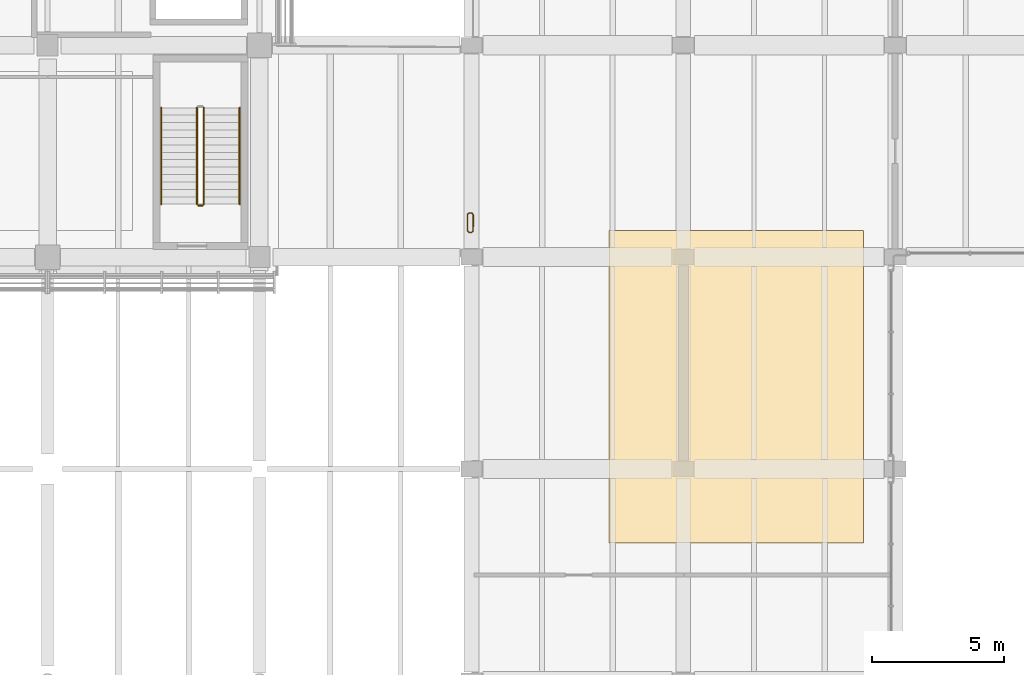
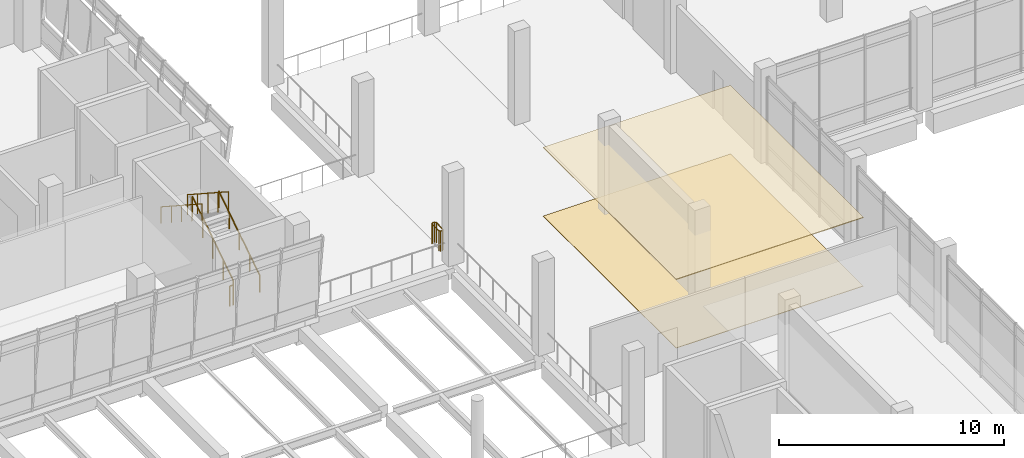
# One storey, part 54 of 61: 6 railings, 2 coverings.
"""IFC4 building model written with IfcOpenShell, lengths in metres."""

from ifc_helpers import new_model, si_unit, direction, frame, origin, origin_2d, place, context, subcontext, project, spatial, polyline, circle, outline, extrude, material, layer, layer_set, type_object, element, save


model = new_model("IFC4")

# Units and contexts
model_context = context("Model", 3, precision=1e-05, world=origin(), true_north=direction((0.0, 1.0)))
body_context = subcontext(model_context, "Body", "Model", "MODEL_VIEW")
ifc_project = project(units=[si_unit("LENGTHUNIT", "METRE"), si_unit("AREAUNIT", "SQUARE_METRE"), si_unit("VOLUMEUNIT", "CUBIC_METRE"), si_unit("PLANEANGLEUNIT", "RADIAN"), si_unit("MASSUNIT", "GRAM", prefix="KILO")], contexts=[model_context])

# Site, building, storey
site_placement = place(None, origin())
site = spatial("IfcSite", under=ifc_project, at=site_placement, CompositionType="ELEMENT")
building_placement = place(site_placement, origin())
building = spatial("IfcBuilding", under=site, at=building_placement, Name="Pecanmere Concourse Central Library", CompositionType="ELEMENT")
storey_placement = place(building_placement, frame((0.0, 0.0, 5.39990234375)))
storey = spatial("IfcBuildingStorey", under=building, at=storey_placement, Name="L02", CompositionType="ELEMENT", Elevation=5.39990234375)

# Coverings
ifc_material_1 = material(Name="Perforated mineral acoustic ceiling tile")
ifc_layer_1 = layer(ifc_material_1, 0.0400390625, Name="COV_CEIL_ACOUSTIC")
ifc_layer_set_1 = layer_set([ifc_layer_1], Name="Perforated mineral acoustic ceiling tile")
covering_type_1 = type_object("IfcCoveringType", Name="COV_CEIL_ACOUSTIC", PredefinedType="CEILING", material=ifc_layer_set_1)
covering_1_placement = place(storey_placement, frame((0.0, 0.0, 3.710205078125)))
element("IfcCovering", 1, at=covering_1_placement, inside=storey, type_object=covering_type_1, Name="Acoustic Coffered Ceiling L02-008", PredefinedType="CEILING", context=body_context, shape_type="SweptSolid", body=[
    extrude(outline(polyline([(117.199951171875, 79.199951171875), (126.800048828125, 79.199951171875), (126.800048828125, 91.0), (117.199951171875, 91.0), (117.199951171875, 79.199951171875)])), origin(), (0.0, 0.0, 1.0), 0.039794921875),
])
ifc_material_2 = material(Name="Solid white oak architectural joinery")
ifc_layer_2 = layer(ifc_material_2, 0.02490234375, Name="COV_FLR_OAK")
ifc_layer_set_2 = layer_set([ifc_layer_2], Name="Solid white oak architectural joinery")
covering_type_2 = type_object("IfcCoveringType", Name="COV_FLR_OAK", PredefinedType="FLOORING", material=ifc_layer_set_2)
covering_2_placement = place(storey_placement, origin())
element("IfcCovering", 2, at=covering_2_placement, inside=storey, type_object=covering_type_2, Name="Finished Flooring L02-008", PredefinedType="FLOORING", context=body_context, shape_type="SweptSolid", body=[
    extrude(outline(polyline([(117.199951171875, 79.199951171875), (126.800048828125, 79.199951171875), (126.800048828125, 91.0), (117.199951171875, 91.0), (117.199951171875, 79.199951171875)])), origin(), (0.0, 0.0, 1.0), 0.025146484375),
])

# Railings
ifc_material_3 = material(Name="Architectural anodized bronze")
railing_type_1 = type_object("IfcRailingType", Name="RAIL_ATRIUM_BAL", PredefinedType="BALUSTRADE", material=ifc_material_3)
railing_1_placement = place(storey_placement, frame((112.069580078125, 91.596923828125, 0.0)))
element("IfcRailing", 3, at=railing_1_placement, inside=storey, type_object=railing_type_1, Name="Deck Edge Protective Balustrade L02-065", PredefinedType="BALUSTRADE", context=body_context, shape_type="SweptSolid", body=[
    extrude(circle(Radius=0.02392578125, at=origin_2d()), frame((0.0, 0.0, 1.09619140625), z_axis=(-0.591491231767, 0.806311430369, 0.0), x_axis=(-0.806311430369, -0.591491231767, 0.0)), (0.0, 0.0, 1.0), 0.0830078125),
    extrude(circle(Radius=0.02392578125, at=origin_2d()), frame((-0.049072265625, 0.06689453125, 1.09619140625), z_axis=(-0.998195860289, 0.060041856258, 0.0), x_axis=(-0.060041856258, -0.998195860289, 0.0)), (0.0, 0.0, 1.0), 0.09765625),
    extrude(circle(Radius=0.02392578125, at=origin_2d()), frame((-0.146484375, 0.07275390625, 1.09619140625), z_axis=(-0.806311430369, -0.591491231767, 0.0), x_axis=(0.591491231767, -0.806311430369, 0.0)), (0.0, 0.0, 1.0), 0.0830078125),
    extrude(circle(Radius=0.02392578125, at=origin_2d()), frame((-0.21337890625, 0.023681640625, 1.09619140625), z_axis=(-0.009489489668, -0.999954973779, 0.0), x_axis=(0.999954973779, -0.009489489668, 0.0)), (0.0, 0.0, 1.0), 0.617431640625),
    extrude(circle(Radius=0.02392578125, at=origin_2d()), frame((-0.21923828125, -0.59375, 1.09619140625), z_axis=(0.591491231767, -0.806311430369, 0.0), x_axis=(0.806311430369, 0.591491231767, 0.0)), (0.0, 0.0, 1.0), 0.0830078125),
    extrude(circle(Radius=0.02392578125, at=origin_2d()), frame((-0.170166015625, -0.66064453125, 1.09619140625), z_axis=(0.998195860289, -0.060041856258, 0.0), x_axis=(0.060041856258, 0.998195860289, 0.0)), (0.0, 0.0, 1.0), 0.09765625),
    extrude(circle(Radius=0.02392578125, at=origin_2d()), frame((-0.07275390625, -0.66650390625, 1.09619140625), z_axis=(0.806311430369, 0.591491231767, 0.0), x_axis=(-0.591491231767, 0.806311430369, 0.0)), (0.0, 0.0, 1.0), 0.0830078125),
    extrude(circle(Radius=0.02392578125, at=origin_2d()), frame((-0.005859375, -0.617431640625, 1.09619140625), z_axis=(0.009489489668, 0.999954973779, 0.0), x_axis=(-0.999954973779, 0.009489489668, 0.0)), (0.0, 0.0, 1.0), 0.617431640625),
    extrude(circle(Radius=0.02099609375, at=origin_2d()), origin(), (0.0, 0.0, 1.0), 1.072021484375),
    extrude(circle(Radius=0.02099609375, at=origin_2d()), frame((-0.049072265625, 0.06689453125, 0.0)), (0.0, 0.0, 1.0), 1.072021484375),
    extrude(circle(Radius=0.02099609375, at=origin_2d()), frame((-0.146484375, 0.07275390625, 0.0)), (0.0, 0.0, 1.0), 1.072021484375),
    extrude(circle(Radius=0.02099609375, at=origin_2d()), frame((-0.21337890625, 0.023681640625, 0.0)), (0.0, 0.0, 1.0), 1.072021484375),
    extrude(circle(Radius=0.02099609375, at=origin_2d()), frame((-0.21923828125, -0.59375, 0.0)), (0.0, 0.0, 1.0), 1.072021484375),
    extrude(circle(Radius=0.02099609375, at=origin_2d()), frame((-0.170166015625, -0.66064453125, 0.0)), (0.0, 0.0, 1.0), 1.072021484375),
    extrude(circle(Radius=0.02099609375, at=origin_2d()), frame((-0.07275390625, -0.66650390625, 0.0)), (0.0, 0.0, 1.0), 1.072021484375),
    extrude(circle(Radius=0.02099609375, at=origin_2d()), frame((-0.005859375, -0.617431640625, 0.0)), (0.0, 0.0, 1.0), 1.072021484375),
])
ifc_material_4 = material(Name="Painted architectural steel ASTM A36", Category="steel")
railing_type_2 = type_object("IfcRailingType", Name="RAIL_STAIR_GUARD", PredefinedType="GUARDRAIL", material=ifc_material_4)
railing_2_placement = place(storey_placement, frame((101.89990234375, 92.0, 0.18212890625)))
element("IfcRailing", 4, at=railing_2_placement, inside=storey, type_object=railing_type_2, Name="L02 ST-02 Guard 1", PredefinedType="GUARDRAIL", context=body_context, shape_type="SweptSolid", body=[
    extrude(circle(Radius=0.02392578125, at=origin_2d()), frame((0.0, 0.0, 1.076171875), z_axis=(0.0, 0.838234174257, 0.545310433706), x_axis=(-1.0, 0.0, 0.0)), (0.0, 0.0, 1.0), 4.34228515625),
    extrude(circle(Radius=0.02099609375, at=origin_2d()), origin(), (0.0, 0.0, 1.0), 1.052001953125),
    extrude(circle(Radius=0.02099609375, at=origin_2d()), frame((0.0, 0.909912109375, 0.592041015625)), (0.0, 0.0, 1.0), 1.052001953125),
    extrude(circle(Radius=0.02099609375, at=origin_2d()), frame((0.0, 1.81982421875, 1.18408203125)), (0.0, 0.0, 1.0), 1.052001953125),
    extrude(circle(Radius=0.02099609375, at=origin_2d()), frame((0.0, 2.72998046875, 1.77587890625)), (0.0, 0.0, 1.0), 1.052001953125),
    extrude(circle(Radius=0.02099609375, at=origin_2d()), frame((0.0, 3.639892578125, 2.367919921875)), (0.0, 0.0, 1.0), 1.052001953125),
])
railing_3_placement = place(storey_placement, frame((101.639892578125, 95.639892578125, 2.732177734375)))
element("IfcRailing", 5, at=railing_3_placement, inside=storey, type_object=railing_type_2, Name="L02 ST-02 Guard 3", PredefinedType="GUARDRAIL", context=body_context, shape_type="SweptSolid", body=[
    extrude(circle(Radius=0.02392578125, at=origin_2d()), frame((0.0, 0.0, 1.076171875), z_axis=(0.0, -0.838234174257, 0.545310433706), x_axis=(1.0, 0.0, 0.0)), (0.0, 0.0, 1.0), 4.34228515625),
    extrude(circle(Radius=0.02099609375, at=origin_2d()), origin(), (0.0, 0.0, 1.0), 1.052001953125),
    extrude(circle(Radius=0.02099609375, at=origin_2d()), frame((0.0, -0.909912109375, 0.592041015625)), (0.0, 0.0, 1.0), 1.052001953125),
    extrude(circle(Radius=0.02099609375, at=origin_2d()), frame((0.0, -1.81982421875, 1.18408203125)), (0.0, 0.0, 1.0), 1.052001953125),
    extrude(circle(Radius=0.02099609375, at=origin_2d()), frame((0.0, -2.72998046875, 1.77587890625)), (0.0, 0.0, 1.0), 1.052001953125),
    extrude(circle(Radius=0.02099609375, at=origin_2d()), frame((0.0, -3.639892578125, 2.367919921875)), (0.0, 0.0, 1.0), 1.052001953125),
])
railing_4_placement = place(storey_placement, frame((101.85009765625, 91.949951171875, 0.0)))
element("IfcRailing", 6, at=railing_4_placement, inside=storey, type_object=railing_type_2, Name="L02 ST-02 Guard 4", PredefinedType="GUARDRAIL", context=body_context, shape_type="SweptSolid", body=[
    extrude(circle(Radius=0.02392578125, at=origin_2d()), frame((0.0, 0.0, 1.076171875), z_axis=(-1.0, 0.0, 0.0), x_axis=(0.0, -1.0, 0.0)), (0.0, 0.0, 1.0), 0.16015625),
    extrude(circle(Radius=0.02099609375, at=origin_2d()), origin(), (0.0, 0.0, 1.0), 1.052001953125),
    extrude(circle(Radius=0.02099609375, at=origin_2d()), frame((-0.16015625, 0.0, 0.0)), (0.0, 0.0, 1.0), 1.052001953125),
])
ifc_material_5 = material(Name="Brushed stainless steel Grade 316", Category="steel")
railing_type_3 = type_object("IfcRailingType", Name="RAIL_STAIR_HR", PredefinedType="HANDRAIL", material=ifc_material_5)
railing_5_placement = place(storey_placement, frame((103.25, 92.0, 0.18212890625)))
element("IfcRailing", 7, at=railing_5_placement, inside=storey, type_object=railing_type_3, Name="L02 ST-02 Handrail 1", PredefinedType="HANDRAIL", context=body_context, shape_type="SweptSolid", body=[
    extrude(circle(Radius=0.02392578125, at=origin_2d()), frame((0.0, 0.0, 0.89111328125), z_axis=(0.0, 0.838234174257, 0.545310433706), x_axis=(-1.0, 0.0, 0.0)), (0.0, 0.0, 1.0), 4.34228515625),
    extrude(circle(Radius=0.02099609375, at=origin_2d()), origin(), (0.0, 0.0, 1.0), 0.866943359375),
    extrude(circle(Radius=0.02099609375, at=origin_2d()), frame((0.0, 0.909912109375, 0.592041015625)), (0.0, 0.0, 1.0), 0.866943359375),
    extrude(circle(Radius=0.02099609375, at=origin_2d()), frame((0.0, 1.81982421875, 1.18408203125)), (0.0, 0.0, 1.0), 0.866943359375),
    extrude(circle(Radius=0.02099609375, at=origin_2d()), frame((0.0, 2.72998046875, 1.77587890625)), (0.0, 0.0, 1.0), 0.866943359375),
    extrude(circle(Radius=0.02099609375, at=origin_2d()), frame((0.0, 3.639892578125, 2.367919921875)), (0.0, 0.0, 1.0), 0.866943359375),
])
railing_6_placement = place(storey_placement, frame((100.2900390625, 95.639892578125, 2.732177734375)))
element("IfcRailing", 8, at=railing_6_placement, inside=storey, type_object=railing_type_3, Name="L02 ST-02 Handrail 2", PredefinedType="HANDRAIL", context=body_context, shape_type="SweptSolid", body=[
    extrude(circle(Radius=0.02392578125, at=origin_2d()), frame((0.0, 0.0, 0.89111328125), z_axis=(0.0, -0.838234174257, 0.545310433706), x_axis=(1.0, 0.0, 0.0)), (0.0, 0.0, 1.0), 4.34228515625),
    extrude(circle(Radius=0.02099609375, at=origin_2d()), origin(), (0.0, 0.0, 1.0), 0.866943359375),
    extrude(circle(Radius=0.02099609375, at=origin_2d()), frame((0.0, -0.909912109375, 0.592041015625)), (0.0, 0.0, 1.0), 0.866943359375),
    extrude(circle(Radius=0.02099609375, at=origin_2d()), frame((0.0, -1.81982421875, 1.18408203125)), (0.0, 0.0, 1.0), 0.866943359375),
    extrude(circle(Radius=0.02099609375, at=origin_2d()), frame((0.0, -2.72998046875, 1.77587890625)), (0.0, 0.0, 1.0), 0.866943359375),
    extrude(circle(Radius=0.02099609375, at=origin_2d()), frame((0.0, -3.639892578125, 2.367919921875)), (0.0, 0.0, 1.0), 0.866943359375),
])

save(model, "model.ifc")
